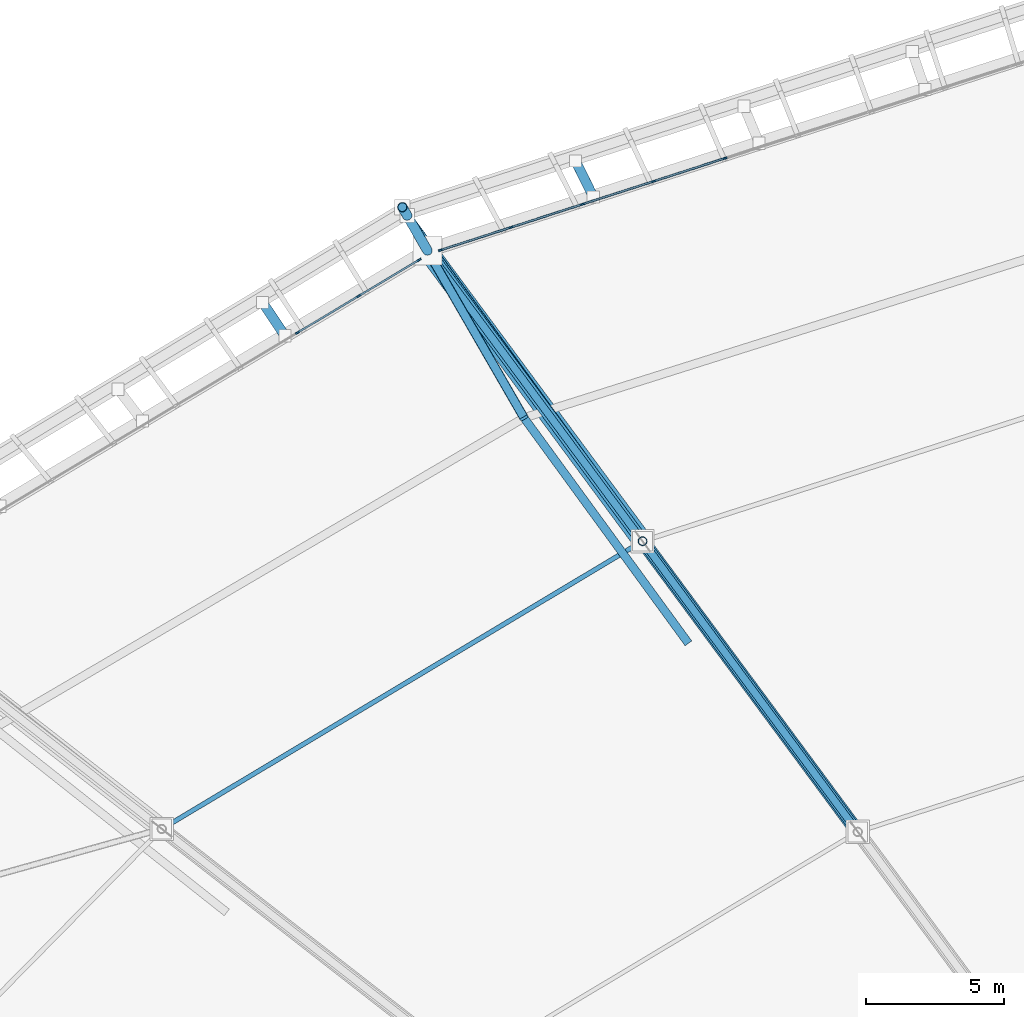
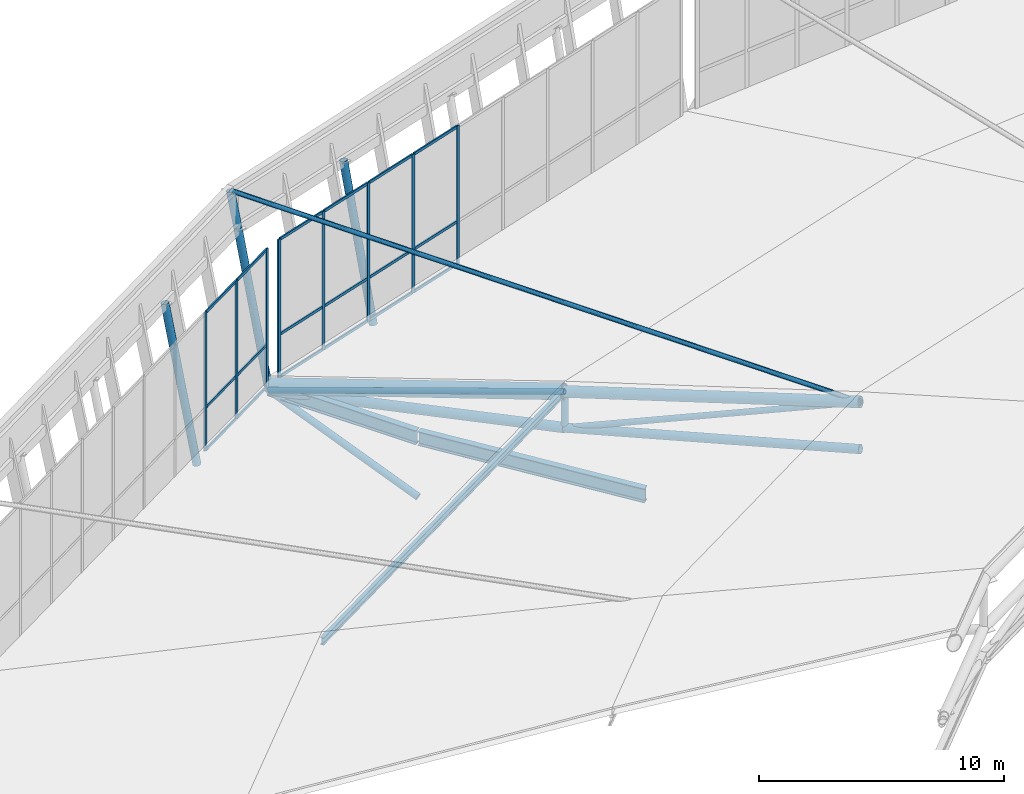
# One storey, part 64 of 115: 40 members, 2 beams, 2 elements without a shape of their own.
"""IFC4 building model written with IfcOpenShell, lengths in metres."""

from ifc_helpers import new_model, si_unit, direction, frame, origin, origin_2d, place, context, subcontext, project, spatial, rectangle, hollow_circle, i_section, extrude, material, material_profile, profile_set, type_object, element, aggregate, save


model = new_model("IFC4")

# Units and contexts
model_context = context("Model", 3, precision=1e-05, world=origin(), true_north=direction((0.0, 1.0)))
body_context = subcontext(model_context, "Body", "Model", "MODEL_VIEW")
ifc_project = project(units=[si_unit("LENGTHUNIT", "METRE"), si_unit("AREAUNIT", "SQUARE_METRE"), si_unit("VOLUMEUNIT", "CUBIC_METRE"), si_unit("PLANEANGLEUNIT", "RADIAN"), si_unit("MASSUNIT", "GRAM", prefix="KILO")], contexts=[model_context])

# Site, building, storey
site_placement = place(None, origin())
site = spatial("IfcSite", under=ifc_project, at=site_placement, CompositionType="ELEMENT")
building_placement = place(site_placement, origin())
building = spatial("IfcBuilding", under=site, at=building_placement, Name="Zlatoyarsky Gate Stadium", CompositionType="ELEMENT")
storey_placement = place(building_placement, frame((0.0, 0.0, 31.800048828125)))
storey = spatial("IfcBuildingStorey", under=building, at=storey_placement, Name="RF", CompositionType="ELEMENT", Elevation=31.800048828125)

# Curtain wall, members
ifc_material_1 = material(Name="Thermally broken anodised aluminium curtain wall", Category="aluminium")
curtain_wall_type = type_object("IfcCurtainWallType", Name="UNITISED SKYBOX RING GLAZING L05", PredefinedType="USERDEFINED", material=ifc_material_1)
curtain_wall_1_placement = place(storey_placement, origin())
curtain_wall_1 = element("IfcCurtainWall", 1, at=curtain_wall_1_placement, inside=storey, type_object=curtain_wall_type, Name="Curtain wall CW-RF-07", ObjectType="UNITISED GLAZING", PredefinedType="USERDEFINED")
ifc_material_2 = material(Name="Anodised aluminium 6063-T6", Category="aluminium")
ifc_material_profile_1 = material_profile(ifc_material_2, rectangle(XDim=0.06494140625, YDim=0.159912109375, at=origin_2d()), Name="ALU 65X160")
ifc_profile_set_1 = profile_set([ifc_material_profile_1], Name="Anodised aluminium 6063-T6")
member_type_1 = type_object("IfcMemberType", Name="ALUMINIUM MULLION 65X160", PredefinedType="MULLION", material=ifc_profile_set_1)
member_1_placement = place(storey_placement, frame((71.8056640625, 150.924560546875, 0.0), z_axis=(0.0, 0.0, 1.0), x_axis=(0.307352182475, -0.951595836439, 0.0)))
member_1 = element("IfcMember", 2, at=member_1_placement, type_object=member_type_1, Name="CW-UG5 mullion 6", PredefinedType="MULLION", context=body_context, shape_type="SweptSolid", body=[
    extrude(rectangle(XDim=0.06494140625, YDim=0.159912109375, at=origin_2d()), origin(), (0.0, 0.0, 1.0), 6.89990234375),
])
member_2_placement = place(storey_placement, frame((69.21337890625, 150.087158203125, 0.0), z_axis=(0.0, 0.0, 1.0), x_axis=(0.307352182475, -0.951595836439, 0.0)))
member_2 = element("IfcMember", 3, at=member_2_placement, type_object=member_type_1, Name="CW-UG5 mullion 7", PredefinedType="MULLION", context=body_context, shape_type="SweptSolid", body=[
    extrude(rectangle(XDim=0.06494140625, YDim=0.159912109375, at=origin_2d()), origin(), (0.0, 0.0, 1.0), 6.89990234375),
])
member_3_placement = place(storey_placement, frame((66.62109375, 149.25, 0.0), z_axis=(0.0, 0.0, 1.0), x_axis=(0.307352182475, -0.951595836439, 0.0)))
member_3 = element("IfcMember", 4, at=member_3_placement, type_object=member_type_1, Name="CW-UG5 mullion 8", PredefinedType="MULLION", context=body_context, shape_type="SweptSolid", body=[
    extrude(rectangle(XDim=0.06494140625, YDim=0.159912109375, at=origin_2d()), origin(), (0.0, 0.0, 1.0), 6.89990234375),
])
member_4_placement = place(storey_placement, frame((64.029052734375, 148.412841796875, 0.0), z_axis=(0.0, 0.0, 1.0), x_axis=(0.307352182475, -0.951595836439, 0.0)))
member_4 = element("IfcMember", 5, at=member_4_placement, type_object=member_type_1, Name="CW-UG5 mullion 9", PredefinedType="MULLION", context=body_context, shape_type="SweptSolid", body=[
    extrude(rectangle(XDim=0.06494140625, YDim=0.159912109375, at=origin_2d()), origin(), (0.0, 0.0, 1.0), 6.89990234375),
])
member_5_placement = place(storey_placement, frame((61.4677734375, 147.58544921875, 0.0), z_axis=(0.0, 0.0, 1.0), x_axis=(0.307352182475, -0.951595836439, 0.0)))
member_5 = element("IfcMember", 6, at=member_5_placement, type_object=member_type_1, Name="CW-UG5 mullion 10", PredefinedType="MULLION", context=body_context, shape_type="SweptSolid", body=[
    extrude(rectangle(XDim=0.06494140625, YDim=0.159912109375, at=origin_2d()), origin(), (0.0, 0.0, 1.0), 6.89990234375),
])

curtain_wall_2_placement = place(storey_placement, origin())
curtain_wall_2 = element("IfcCurtainWall", 7, at=curtain_wall_2_placement, inside=storey, type_object=curtain_wall_type, Name="Curtain wall CW-RF-08", ObjectType="UNITISED GLAZING", PredefinedType="USERDEFINED")
member_6_placement = place(storey_placement, frame((60.68505859375, 147.23046875, 0.0), z_axis=(0.0, 0.0, 1.0), x_axis=(0.513435995817, -0.858127891517, 0.0)))
member_6 = element("IfcMember", 8, at=member_6_placement, type_object=member_type_1, Name="CW-UG5 mullion 1", PredefinedType="MULLION", context=body_context, shape_type="SweptSolid", body=[
    extrude(rectangle(XDim=0.06494140625, YDim=0.159912109375, at=origin_2d()), origin(), (0.0, 0.0, 1.0), 6.89990234375),
])
member_7_placement = place(storey_placement, frame((58.490478515625, 145.91748046875, 0.0), z_axis=(0.0, 0.0, 1.0), x_axis=(0.513435995817, -0.858127891517, 0.0)))
member_7 = element("IfcMember", 9, at=member_7_placement, type_object=member_type_1, Name="CW-UG5 mullion 2", PredefinedType="MULLION", context=body_context, shape_type="SweptSolid", body=[
    extrude(rectangle(XDim=0.06494140625, YDim=0.159912109375, at=origin_2d()), origin(), (0.0, 0.0, 1.0), 6.89990234375),
])
member_8_placement = place(storey_placement, frame((56.268310546875, 144.587890625, 0.0), z_axis=(0.0, 0.0, 1.0), x_axis=(0.513435995817, -0.858127891517, 0.0)))
member_8 = element("IfcMember", 10, at=member_8_placement, type_object=member_type_1, Name="CW-UG5 mullion 3", PredefinedType="MULLION", context=body_context, shape_type="SweptSolid", body=[
    extrude(rectangle(XDim=0.06494140625, YDim=0.159912109375, at=origin_2d()), origin(), (0.0, 0.0, 1.0), 6.89990234375),
])

# Member
ifc_material_profile_2 = material_profile(ifc_material_2, rectangle(XDim=0.06494140625, YDim=0.139892578125, at=origin_2d()), Name="ALU 65X140")
ifc_profile_set_2 = profile_set([ifc_material_profile_2], Name="Anodised aluminium 6063-T6")
member_type_2 = type_object("IfcMemberType", Name="ALUMINIUM TRANSOM 65X140", PredefinedType="USERDEFINED", material=ifc_profile_set_2)
member_9_placement = place(storey_placement, frame((71.774658203125, 150.91455078125, 0.032470703125), z_axis=(-0.951580459921, -0.307399785779, 0.0), x_axis=(0.307399785779, -0.951580459921, 0.0)))
member_9 = element("IfcMember", 11, at=member_9_placement, type_object=member_type_2, Name="CW-UG5 transom 6.1", ObjectType="TRANSOM", PredefinedType="USERDEFINED", context=body_context, shape_type="SweptSolid", body=[
    extrude(rectangle(XDim=0.06494140625, YDim=0.139892578125, at=origin_2d()), origin(), (0.0, 0.0, 1.0), 2.658935546875),
])

member_10_placement = place(storey_placement, frame((71.774658203125, 150.91455078125, 2.14990234375), z_axis=(-0.951580459921, -0.307399785779, 0.0), x_axis=(0.307399785779, -0.951580459921, 0.0)))
member_10 = element("IfcMember", 12, at=member_10_placement, type_object=member_type_2, Name="CW-UG5 transom 6.2", ObjectType="TRANSOM", PredefinedType="USERDEFINED", context=body_context, shape_type="SweptSolid", body=[
    extrude(rectangle(XDim=0.06494140625, YDim=0.139892578125, at=origin_2d()), origin(), (0.0, 0.0, 1.0), 2.658935546875),
])

member_11_placement = place(storey_placement, frame((71.774658203125, 150.91455078125, 6.867431640625), z_axis=(-0.951580459921, -0.307399785779, 0.0), x_axis=(0.307399785779, -0.951580459921, 0.0)))
member_11 = element("IfcMember", 13, at=member_11_placement, type_object=member_type_2, Name="CW-UG5 transom 6.3", ObjectType="TRANSOM", PredefinedType="USERDEFINED", context=body_context, shape_type="SweptSolid", body=[
    extrude(rectangle(XDim=0.06494140625, YDim=0.139892578125, at=origin_2d()), origin(), (0.0, 0.0, 1.0), 2.658935546875),
])

member_12_placement = place(storey_placement, frame((69.182373046875, 150.0771484375, 0.032470703125), z_axis=(-0.951607314646, -0.307316642428, 0.0), x_axis=(0.307316642428, -0.951607314646, 0.0)))
member_12 = element("IfcMember", 14, at=member_12_placement, type_object=member_type_2, Name="CW-UG5 transom 7.1", ObjectType="TRANSOM", PredefinedType="USERDEFINED", context=body_context, shape_type="SweptSolid", body=[
    extrude(rectangle(XDim=0.06494140625, YDim=0.139892578125, at=origin_2d()), origin(), (0.0, 0.0, 1.0), 2.658935546875),
])

member_13_placement = place(storey_placement, frame((69.182373046875, 150.0771484375, 2.14990234375), z_axis=(-0.951607314646, -0.307316642428, 0.0), x_axis=(0.307316642428, -0.951607314646, 0.0)))
member_13 = element("IfcMember", 15, at=member_13_placement, type_object=member_type_2, Name="CW-UG5 transom 7.2", ObjectType="TRANSOM", PredefinedType="USERDEFINED", context=body_context, shape_type="SweptSolid", body=[
    extrude(rectangle(XDim=0.06494140625, YDim=0.139892578125, at=origin_2d()), origin(), (0.0, 0.0, 1.0), 2.658935546875),
])

member_14_placement = place(storey_placement, frame((69.182373046875, 150.0771484375, 6.867431640625), z_axis=(-0.951607314646, -0.307316642428, 0.0), x_axis=(0.307316642428, -0.951607314646, 0.0)))
member_14 = element("IfcMember", 16, at=member_14_placement, type_object=member_type_2, Name="CW-UG5 transom 7.3", ObjectType="TRANSOM", PredefinedType="USERDEFINED", context=body_context, shape_type="SweptSolid", body=[
    extrude(rectangle(XDim=0.06494140625, YDim=0.139892578125, at=origin_2d()), origin(), (0.0, 0.0, 1.0), 2.658935546875),
])

member_15_placement = place(storey_placement, frame((66.59033203125, 149.239990234375, 0.032470703125), z_axis=(-0.951615985175, -0.307289792801, 0.0), x_axis=(0.307289792801, -0.951615985175, 0.0)))
member_15 = element("IfcMember", 17, at=member_15_placement, type_object=member_type_2, Name="CW-UG5 transom 8.1", ObjectType="TRANSOM", PredefinedType="USERDEFINED", context=body_context, shape_type="SweptSolid", body=[
    extrude(rectangle(XDim=0.06494140625, YDim=0.139892578125, at=origin_2d()), origin(), (0.0, 0.0, 1.0), 2.6591796875),
])

member_16_placement = place(storey_placement, frame((66.59033203125, 149.239990234375, 2.14990234375), z_axis=(-0.951615985175, -0.307289792801, 0.0), x_axis=(0.307289792801, -0.951615985175, 0.0)))
member_16 = element("IfcMember", 18, at=member_16_placement, type_object=member_type_2, Name="CW-UG5 transom 8.2", ObjectType="TRANSOM", PredefinedType="USERDEFINED", context=body_context, shape_type="SweptSolid", body=[
    extrude(rectangle(XDim=0.06494140625, YDim=0.139892578125, at=origin_2d()), origin(), (0.0, 0.0, 1.0), 2.6591796875),
])

member_17_placement = place(storey_placement, frame((66.59033203125, 149.239990234375, 6.867431640625), z_axis=(-0.951615985175, -0.307289792801, 0.0), x_axis=(0.307289792801, -0.951615985175, 0.0)))
member_17 = element("IfcMember", 19, at=member_17_placement, type_object=member_type_2, Name="CW-UG5 transom 8.3", ObjectType="TRANSOM", PredefinedType="USERDEFINED", context=body_context, shape_type="SweptSolid", body=[
    extrude(rectangle(XDim=0.06494140625, YDim=0.139892578125, at=origin_2d()), origin(), (0.0, 0.0, 1.0), 2.6591796875),
])

member_18_placement = place(storey_placement, frame((63.998046875, 148.40283203125, 0.032470703125), z_axis=(-0.951588529008, -0.307374806157, 0.0), x_axis=(0.307374806157, -0.951588529008, 0.0)))
member_18 = element("IfcMember", 20, at=member_18_placement, type_object=member_type_2, Name="CW-UG5 transom 9.1", ObjectType="TRANSOM", PredefinedType="USERDEFINED", context=body_context, shape_type="SweptSolid", body=[
    extrude(rectangle(XDim=0.06494140625, YDim=0.139892578125, at=origin_2d()), origin(), (0.0, 0.0, 1.0), 2.626708984375),
])

member_19_placement = place(storey_placement, frame((63.998046875, 148.40283203125, 2.14990234375), z_axis=(-0.951588529008, -0.307374806157, 0.0), x_axis=(0.307374806157, -0.951588529008, 0.0)))
member_19 = element("IfcMember", 21, at=member_19_placement, type_object=member_type_2, Name="CW-UG5 transom 9.2", ObjectType="TRANSOM", PredefinedType="USERDEFINED", context=body_context, shape_type="SweptSolid", body=[
    extrude(rectangle(XDim=0.06494140625, YDim=0.139892578125, at=origin_2d()), origin(), (0.0, 0.0, 1.0), 2.626708984375),
])

member_20_placement = place(storey_placement, frame((63.998046875, 148.40283203125, 6.867431640625), z_axis=(-0.951588529008, -0.307374806157, 0.0), x_axis=(0.307374806157, -0.951588529008, 0.0)))
member_20 = element("IfcMember", 22, at=member_20_placement, type_object=member_type_2, Name="CW-UG5 transom 9.3", ObjectType="TRANSOM", PredefinedType="USERDEFINED", context=body_context, shape_type="SweptSolid", body=[
    extrude(rectangle(XDim=0.06494140625, YDim=0.139892578125, at=origin_2d()), origin(), (0.0, 0.0, 1.0), 2.626708984375),
])

aggregate(curtain_wall_1, [member_1, member_2, member_3, member_4, member_5, member_9, member_10, member_11, member_12, member_13, member_14, member_15, member_16, member_17, member_18, member_19, member_20])

member_21_placement = place(storey_placement, frame((60.6572265625, 147.2138671875, 0.032470703125), z_axis=(-0.858140517971, -0.513414892087, 0.0), x_axis=(0.513414892087, -0.858140517971, 0.0)))
member_21 = element("IfcMember", 23, at=member_21_placement, type_object=member_type_2, Name="CW-UG5 transom 1.1", ObjectType="TRANSOM", PredefinedType="USERDEFINED", context=body_context, shape_type="SweptSolid", body=[
    extrude(rectangle(XDim=0.06494140625, YDim=0.139892578125, at=origin_2d()), origin(), (0.0, 0.0, 1.0), 2.4921875),
])

member_22_placement = place(storey_placement, frame((60.6572265625, 147.2138671875, 2.14990234375), z_axis=(-0.858140517971, -0.513414892087, 0.0), x_axis=(0.513414892087, -0.858140517971, 0.0)))
member_22 = element("IfcMember", 24, at=member_22_placement, type_object=member_type_2, Name="CW-UG5 transom 1.2", ObjectType="TRANSOM", PredefinedType="USERDEFINED", context=body_context, shape_type="SweptSolid", body=[
    extrude(rectangle(XDim=0.06494140625, YDim=0.139892578125, at=origin_2d()), origin(), (0.0, 0.0, 1.0), 2.4921875),
])

member_23_placement = place(storey_placement, frame((60.6572265625, 147.2138671875, 6.867431640625), z_axis=(-0.858140517971, -0.513414892087, 0.0), x_axis=(0.513414892087, -0.858140517971, 0.0)))
member_23 = element("IfcMember", 25, at=member_23_placement, type_object=member_type_2, Name="CW-UG5 transom 1.3", ObjectType="TRANSOM", PredefinedType="USERDEFINED", context=body_context, shape_type="SweptSolid", body=[
    extrude(rectangle(XDim=0.06494140625, YDim=0.139892578125, at=origin_2d()), origin(), (0.0, 0.0, 1.0), 2.4921875),
])

member_24_placement = place(storey_placement, frame((58.462646484375, 145.90087890625, 0.032470703125), z_axis=(-0.858106637298, -0.513471517248, 0.0), x_axis=(0.513471517248, -0.858106637298, 0.0)))
member_24 = element("IfcMember", 26, at=member_24_placement, type_object=member_type_2, Name="CW-UG5 transom 2.1", ObjectType="TRANSOM", PredefinedType="USERDEFINED", context=body_context, shape_type="SweptSolid", body=[
    extrude(rectangle(XDim=0.06494140625, YDim=0.139892578125, at=origin_2d()), origin(), (0.0, 0.0, 1.0), 2.524658203125),
])

member_25_placement = place(storey_placement, frame((58.462646484375, 145.90087890625, 2.14990234375), z_axis=(-0.858106637298, -0.513471517248, 0.0), x_axis=(0.513471517248, -0.858106637298, 0.0)))
member_25 = element("IfcMember", 27, at=member_25_placement, type_object=member_type_2, Name="CW-UG5 transom 2.2", ObjectType="TRANSOM", PredefinedType="USERDEFINED", context=body_context, shape_type="SweptSolid", body=[
    extrude(rectangle(XDim=0.06494140625, YDim=0.139892578125, at=origin_2d()), origin(), (0.0, 0.0, 1.0), 2.524658203125),
])

member_26_placement = place(storey_placement, frame((58.462646484375, 145.90087890625, 6.867431640625), z_axis=(-0.858106637298, -0.513471517248, 0.0), x_axis=(0.513471517248, -0.858106637298, 0.0)))
member_26 = element("IfcMember", 28, at=member_26_placement, type_object=member_type_2, Name="CW-UG5 transom 2.3", ObjectType="TRANSOM", PredefinedType="USERDEFINED", context=body_context, shape_type="SweptSolid", body=[
    extrude(rectangle(XDim=0.06494140625, YDim=0.139892578125, at=origin_2d()), origin(), (0.0, 0.0, 1.0), 2.524658203125),
])

aggregate(curtain_wall_2, [member_6, member_7, member_8, member_21, member_22, member_23, member_24, member_25, member_26])

# Members
ifc_material_3 = material(Name="Steel S355", Category="steel")
ifc_material_profile_3 = material_profile(ifc_material_3, hollow_circle(Radius=0.228515625, WallThickness=0.02490234375, at=origin_2d()), Name="CHS 457X25")
ifc_profile_set_3 = profile_set([ifc_material_profile_3], Name="Steel S355")
member_type_3 = type_object("IfcMemberType", Name="STEEL ARCH BOTTOM CHORD CHS 457X25", PredefinedType="CHORD", material=ifc_profile_set_3)
member_27_placement = place(storey_placement, frame((60.986083984375, 147.573974609375, -0.449951171875), z_axis=(0.589420339324, -0.796361331741, 0.135618187937), x_axis=(0.80378738221, 0.594916669963, 0.0)))
element("IfcMember", 29, at=member_27_placement, inside=storey, type_object=member_type_3, Name="Radial truss R09 bottom chord 1", PredefinedType="CHORD", context=body_context, shape_type="SweptSolid", body=[
    extrude(hollow_circle(Radius=0.228515625, WallThickness=0.02490234375, at=origin_2d()), origin(), (0.0, 0.0, 1.0), 13.27099609375),
])
ifc_material_profile_4 = material_profile(ifc_material_3, hollow_circle(Radius=0.203125, WallThickness=0.02001953125, at=origin_2d()), Name="CHS 406.4X20")
ifc_profile_set_4 = profile_set([ifc_material_profile_4], Name="Steel S355")
member_type_4 = type_object("IfcMemberType", Name="STEEL ARCH INNER CHORD CHS 406.4X20", PredefinedType="CHORD", material=ifc_profile_set_4)
member_28_placement = place(storey_placement, frame((68.808349609375, 137.00537109375, 1.349853515625), z_axis=(0.583615114034, -0.788517936062, 0.193991915245), x_axis=(0.80378738221, 0.594916669963, 0.0)))
element("IfcMember", 30, at=member_28_placement, inside=storey, type_object=member_type_4, Name="Radial truss R09 bottom chord 2", PredefinedType="CHORD", context=body_context, shape_type="SweptSolid", body=[
    extrude(hollow_circle(Radius=0.203125, WallThickness=0.02001953125, at=origin_2d()), origin(), (0.0, 0.0, 1.0), 13.403076171875),
])
ifc_material_profile_5 = material_profile(ifc_material_3, hollow_circle(Radius=0.25390625, WallThickness=0.02490234375, at=origin_2d()), Name="CHS 508X25")
ifc_profile_set_5 = profile_set([ifc_material_profile_5], Name="Steel S355")
member_type_5 = type_object("IfcMemberType", Name="STEEL ARCH TOP CHORD CHS 508X25", PredefinedType="CHORD", material=ifc_profile_set_5)
member_29_placement = place(storey_placement, frame((68.808349609375, 137.00537109375, 3.14990234375), z_axis=(0.578544238692, -0.781666715004, 0.232988648934), x_axis=(0.80378738221, 0.594916669963, 0.0)))
element("IfcMember", 31, at=member_29_placement, inside=storey, type_object=member_type_5, Name="Radial truss R09 top chord 2", PredefinedType="CHORD", context=body_context, shape_type="SweptSolid", body=[
    extrude(hollow_circle(Radius=0.25390625, WallThickness=0.02490234375, at=origin_2d()), origin(), (0.0, 0.0, 1.0), 13.5205078125),
])
ifc_material_profile_6 = material_profile(ifc_material_3, hollow_circle(Radius=0.35546875, WallThickness=0.031982421875, at=origin_2d()), Name="CHS 711X32")
ifc_profile_set_6 = profile_set([ifc_material_profile_6], Name="Steel S355")
member_type_6 = type_object("IfcMemberType", Name="STEEL ARCH TOP CHORD CHS 711X32", PredefinedType="CHORD", material=ifc_profile_set_6)
member_30_placement = place(storey_placement, frame((60.986083984375, 147.573974609375, -0.25), z_axis=(0.575972825416, -0.778192498109, 0.250343244904), x_axis=(0.80378738221, 0.594916669963, 0.0)))
element("IfcMember", 32, at=member_30_placement, inside=storey, type_object=member_type_6, Name="Radial truss R09 top chord 1", PredefinedType="CHORD", context=body_context, shape_type="SweptSolid", body=[
    extrude(hollow_circle(Radius=0.35546875, WallThickness=0.031982421875, at=origin_2d()), origin(), (0.0, 0.0, 1.0), 13.5810546875),
])
ifc_material_profile_7 = material_profile(ifc_material_3, hollow_circle(Radius=0.109619140625, WallThickness=0.012451171875, at=origin_2d()), Name="CHS 219.1X12.5")
ifc_profile_set_7 = profile_set([ifc_material_profile_7], Name="Steel S355")
member_type_7 = type_object("IfcMemberType", Name="STEEL CANOPY WIND BRACE CHS 219.1X12.5", PredefinedType="BRACE", material=ifc_profile_set_7)
member_31_placement = place(storey_placement, frame((60.077880859375, 149.147216796875, 8.849853515625), z_axis=(0.586600680652, -0.804819594626, -0.090360730217), x_axis=(0.80812555425, 0.589010261853, 0.0)))
element("IfcMember", 33, at=member_31_placement, inside=storey, type_object=member_type_7, Name="Crown fascia tie brace 08", PredefinedType="BRACE", context=body_context, shape_type="SweptSolid", body=[
    extrude(hollow_circle(Radius=0.109619140625, WallThickness=0.012451171875, at=origin_2d()), origin(), (0.0, 0.0, 1.0), 28.218017578125),
])
ifc_material_profile_8 = material_profile(ifc_material_3, hollow_circle(Radius=0.177734375, WallThickness=0.02001953125, at=origin_2d()), Name="CHS 355.6X20")
ifc_profile_set_8 = profile_set([ifc_material_profile_8], Name="Steel S355")
member_type_8 = type_object("IfcMemberType", Name="STEEL LEANING RIB RING STRUT CHS 355.6X20", PredefinedType="STRUT", material=ifc_profile_set_8)
member_32_placement = place(storey_placement, frame((67.017333984375, 149.522705078125, -0.449951171875), z_axis=(-0.08338382424, 0.16897607364, 0.982086668473), x_axis=(-0.896758934968, -0.442519392293, 0.0)))
element("IfcMember", 34, at=member_32_placement, inside=storey, type_object=member_type_8, Name="Outward-leaning bowl louvre fin rib RF 07-3", PredefinedType="STRUT", context=body_context, shape_type="SweptSolid", body=[
    extrude(hollow_circle(Radius=0.177734375, WallThickness=0.02001953125, at=origin_2d()), origin(), (0.0, 0.0, 1.0), 7.738525390625),
])
member_33_placement = place(storey_placement, frame((60.986083984375, 147.573974609375, -0.449951171875), z_axis=(-0.094782828321, 0.164206124539, 0.981861784631), x_axis=(-0.866074780599, -0.499914467095, 0.0)))
element("IfcMember", 35, at=member_33_placement, inside=storey, type_object=member_type_8, Name="Outward-leaning crown fascia lower post 08", PredefinedType="STRUT", context=body_context, shape_type="SweptSolid", body=[
    extrude(hollow_circle(Radius=0.177734375, WallThickness=0.02001953125, at=origin_2d()), origin(), (0.0, 0.0, 1.0), 7.740234375),
])
member_34_placement = place(storey_placement, frame((60.25244140625, 148.844970703125, 7.14990234375), z_axis=(-0.100587325845, 0.174163789364, 0.979565803994), x_axis=(-0.865952591736, -0.500126092966, 0.0)))
element("IfcMember", 36, at=member_34_placement, inside=storey, type_object=member_type_8, Name="Outward-leaning crown fascia upper post 08", PredefinedType="STRUT", context=body_context, shape_type="SweptSolid", body=[
    extrude(hollow_circle(Radius=0.177734375, WallThickness=0.02001953125, at=origin_2d()), origin(), (0.0, 0.0, 1.0), 1.7353515625),
])
member_35_placement = place(storey_placement, frame((55.80712890625, 144.473876953125, -0.449951171875), z_axis=(-0.104647731087, 0.156703430904, 0.982085987641), x_axis=(-0.831612147904, -0.555356854157, 0.0)))
element("IfcMember", 37, at=member_35_placement, inside=storey, type_object=member_type_8, Name="Outward-leaning bowl louvre fin rib RF 08-1", PredefinedType="STRUT", context=body_context, shape_type="SweptSolid", body=[
    extrude(hollow_circle(Radius=0.177734375, WallThickness=0.02001953125, at=origin_2d()), origin(), (0.0, 0.0, 1.0), 7.738525390625),
])
ifc_material_profile_9 = material_profile(ifc_material_3, i_section(OverallWidth=0.169921875, OverallDepth=0.360107421875, WebThickness=0.008056640625, FlangeThickness=0.0126953125, FilletRadius=0.01806640625, at=origin_2d()), Name="IPE 360")
ifc_profile_set_9 = profile_set([ifc_material_profile_9], Name="Steel S355")
member_type_9 = type_object("IfcMemberType", Name="STEEL LONG SPAN PURLIN IPE 360", PredefinedType="PURLIN", material=ifc_profile_set_9)
member_36_placement = place(storey_placement, frame((68.808349609375, 137.00537109375, 3.179931640625), z_axis=(-0.858036074152, -0.513589423036, 0.0), x_axis=(0.513589423036, -0.858036074152, 0.0)))
element("IfcMember", 38, at=member_36_placement, inside=storey, type_object=member_type_9, Name="Stadium roof purlin 08.1", PredefinedType="PURLIN", context=body_context, shape_type="SweptSolid", body=[
    extrude(i_section(OverallWidth=0.169921875, OverallDepth=0.360107421875, WebThickness=0.008056640625, FlangeThickness=0.0126953125, FilletRadius=0.01806640625, at=origin_2d()), origin(), (0.0, 0.0, 1.0), 20.367919921875),
])

# Beams
ifc_material_profile_10 = material_profile(ifc_material_3, i_section(OverallWidth=0.300048828125, OverallDepth=0.699951171875, WebThickness=0.01708984375, FlangeThickness=0.031982421875, FilletRadius=0.027099609375, at=origin_2d()), Name="HEB 700")
ifc_profile_set_10 = profile_set([ifc_material_profile_10], Name="Steel S355")
beam_type = type_object("IfcBeamType", Name="STEEL ROOF RING GIRDER HEB 700", PredefinedType="BEAM", material=ifc_profile_set_10)
beam_1_placement = place(storey_placement, frame((70.476318359375, 133.29296875, -0.300048828125), z_axis=(-0.589220146404, 0.807972536087, 0.0), x_axis=(-0.807972536087, -0.589220146404, 0.0)))
element("IfcBeam", 39, at=beam_1_placement, inside=storey, type_object=beam_type, Name="RF roof tie girder BM-RF-RBC-08", PredefinedType="BEAM", context=body_context, shape_type="SweptSolid", body=[
    extrude(i_section(OverallWidth=0.300048828125, OverallDepth=0.699951171875, WebThickness=0.01708984375, FlangeThickness=0.031982421875, FilletRadius=0.027099609375, at=origin_2d()), origin(), (0.0, 0.0, 1.0), 10.1025390625),
])
beam_2_placement = place(storey_placement, frame((64.47998046875, 141.5224609375, -0.300048828125), z_axis=(-0.50000573544, 0.866022092401, 0.0), x_axis=(-0.866022092401, -0.50000573544, 0.0)))
element("IfcBeam", 40, at=beam_2_placement, inside=storey, type_object=beam_type, Name="RF roof tie girder BM-RF-COUT-08", PredefinedType="BEAM", context=body_context, shape_type="SweptSolid", body=[
    extrude(i_section(OverallWidth=0.300048828125, OverallDepth=0.699951171875, WebThickness=0.01708984375, FlangeThickness=0.031982421875, FilletRadius=0.027099609375, at=origin_2d()), origin(), (0.0, 0.0, 1.0), 6.98779296875),
])

# Members
ifc_material_profile_11 = material_profile(ifc_material_3, hollow_circle(Radius=0.136474609375, WallThickness=0.01611328125, at=origin_2d()), Name="CHS 273X16")
ifc_profile_set_11 = profile_set([ifc_material_profile_11], Name="Steel S355")
member_type_10 = type_object("IfcMemberType", Name="STEEL ROOF TRUSS DIAGONAL CHS 273X16", PredefinedType="BRACE", material=ifc_profile_set_11)
member_37_placement = place(storey_placement, frame((60.986083984375, 147.573974609375, -0.449951171875), z_axis=(0.573799851096, -0.775256609054, 0.264066129975), x_axis=(0.80378738221, 0.594916669963, 0.0)))
element("IfcMember", 41, at=member_37_placement, inside=storey, type_object=member_type_10, Name="Radial truss R09 web diagonal 1", PredefinedType="BRACE", context=body_context, shape_type="SweptSolid", body=[
    extrude(hollow_circle(Radius=0.136474609375, WallThickness=0.01611328125, at=origin_2d()), origin(), (0.0, 0.0, 1.0), 13.63232421875),
])
member_38_placement = place(storey_placement, frame((68.808349609375, 137.00537109375, 1.349853515625), z_axis=(0.55676582184, -0.752242061849, 0.352340318465), x_axis=(0.80378738221, 0.594916669963, 0.0)))
element("IfcMember", 42, at=member_38_placement, inside=storey, type_object=member_type_10, Name="Radial truss R09 web diagonal 2", PredefinedType="BRACE", context=body_context, shape_type="SweptSolid", body=[
    extrude(hollow_circle(Radius=0.136474609375, WallThickness=0.01611328125, at=origin_2d()), origin(), (0.0, 0.0, 1.0), 14.049560546875),
])
ifc_material_profile_12 = material_profile(ifc_material_3, hollow_circle(Radius=0.161865234375, WallThickness=0.01611328125, at=origin_2d()), Name="CHS 323.9X16")
ifc_profile_set_12 = profile_set([ifc_material_profile_12], Name="Steel S355")
member_type_11 = type_object("IfcMemberType", Name="STEEL TRUSS WEB STRUT CHS 323.9X16", PredefinedType="STRUT", material=ifc_profile_set_12)
member_39_placement = place(storey_placement, frame((64.5, 141.48779296875, -3.300048828125), z_axis=(-0.463352088662, 0.802536248055, 0.37581965421), x_axis=(-0.866021866641, -0.500006126462, 0.0)))
element("IfcMember", 43, at=member_39_placement, inside=storey, type_object=member_type_11, Name="Arch heel prop 08", PredefinedType="STRUT", context=body_context, shape_type="SweptSolid", body=[
    extrude(hollow_circle(Radius=0.161865234375, WallThickness=0.01611328125, at=origin_2d()), origin(), (0.0, 0.0, 1.0), 7.583740234375),
])
member_40_placement = place(storey_placement, frame((68.808349609375, 137.00537109375, 1.349853515625), z_axis=(0.0, 0.0, 1.0), x_axis=(1.0, 0.0, 0.0)))
element("IfcMember", 44, at=member_40_placement, inside=storey, type_object=member_type_11, Name="Radial truss R09 web strut 1", PredefinedType="STRUT", context=body_context, shape_type="SweptSolid", body=[
    extrude(hollow_circle(Radius=0.161865234375, WallThickness=0.01611328125, at=origin_2d()), origin(), (0.0, 0.0, 1.0), 1.800048828125),
])

save(model, "model.ifc")
